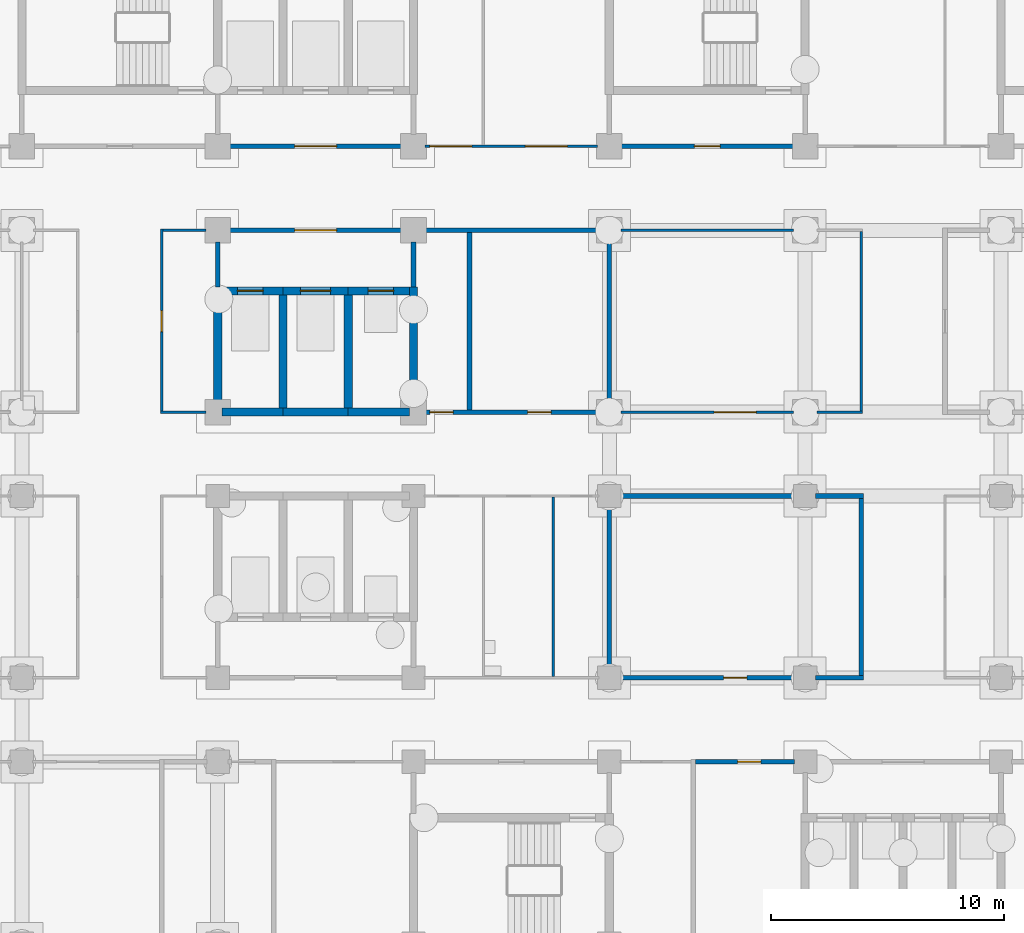
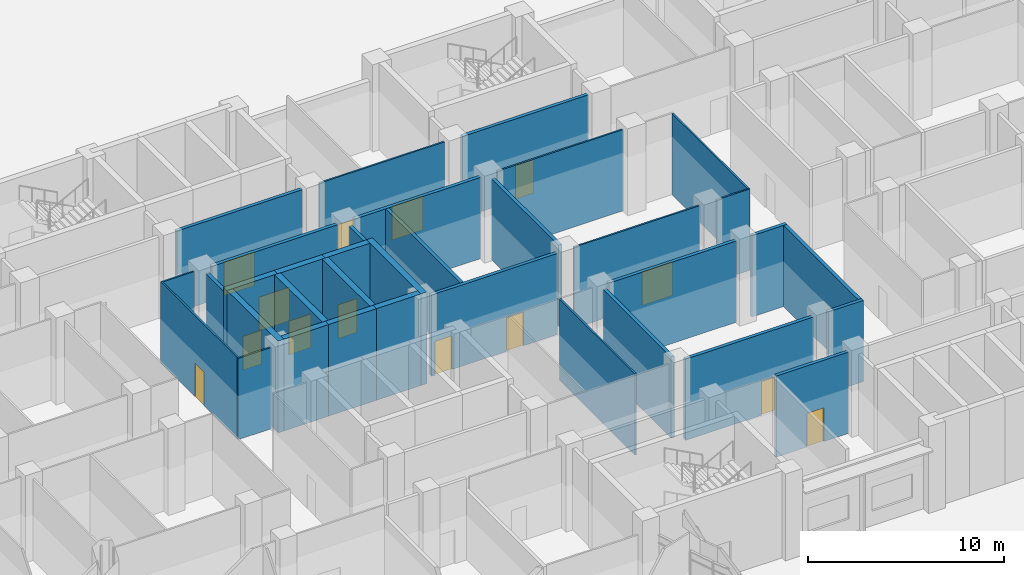
# One storey, part 71 of 146: 35 walls, 14 doors, 14 openings.
"""IFC4 building model written with IfcOpenShell, lengths in metres."""

from ifc_helpers import new_model, si_unit, direction, frame, frame_2d, origin, place, context, subcontext, project, spatial, rectangle, extrude, material, layer, layer_set, type_object, element, fill, save


model = new_model("IFC4")

# Units and contexts
model_context = context("Model", 3, precision=1e-05, world=origin(), true_north=direction((0.0, 1.0)))
body_context = subcontext(model_context, "Body", "Model", "MODEL_VIEW")
ifc_project = project(units=[si_unit("LENGTHUNIT", "METRE"), si_unit("AREAUNIT", "SQUARE_METRE"), si_unit("VOLUMEUNIT", "CUBIC_METRE"), si_unit("PLANEANGLEUNIT", "RADIAN"), si_unit("MASSUNIT", "GRAM", prefix="KILO")], contexts=[model_context])

# Site, building, storey
site_placement = place(None, origin())
site = spatial("IfcSite", under=ifc_project, at=site_placement, CompositionType="ELEMENT")
building_placement = place(site_placement, origin())
building = spatial("IfcBuilding", under=site, at=building_placement, Name="Bougainvillea Quay General Hospital", CompositionType="ELEMENT")
storey_placement = place(building_placement, origin())
storey = spatial("IfcBuildingStorey", under=building, at=storey_placement, Name="L00", CompositionType="ELEMENT", Elevation=0.0)

# Wall
ifc_material_1 = material(Name="Gypsum board partition on steel studs", Category="steel")
ifc_layer_1 = layer(ifc_material_1, 0.10009765625)
ifc_layer_set_1 = layer_set([ifc_layer_1], Name="Gypsum board partition on steel studs")
wall_type_1 = type_object("IfcWallType", Name="Partition 100 Gypsum board partition", PredefinedType="PARTITIONING", material=ifc_layer_set_1)
wall_1_placement = place(storey_placement, frame((64.75, 140.39990234375, 0.0), z_axis=(0.0, 0.0, 1.0), x_axis=(1.0, 0.0, 0.0)))
element("IfcWall", 1, at=wall_1_placement, inside=storey, type_object=wall_type_1, Name="Partition 100 mm", PredefinedType="PARTITIONING", context=body_context, shape_type="SweptSolid", body=[
    extrude(rectangle(XDim=1.949951171875, YDim=0.10009765625, at=frame_2d((0.97509765625, 0.0))), origin(), (0.0, 0.0, 1.0), 5.050048828125),
])

# Wall, opening, door
wall_2_placement = place(storey_placement, frame((84.5, 140.39990234375, 0.0), z_axis=(0.0, 0.0, 1.0), x_axis=(1.0, 0.0, 0.0)))
wall_2 = element("IfcWall", 2, at=wall_2_placement, inside=storey, type_object=wall_type_1, Name="Partition 100 mm", PredefinedType="PARTITIONING", context=body_context, shape_type="SweptSolid", body=[
    extrude(rectangle(XDim=7.39990234375, YDim=0.10009765625, at=frame_2d((3.699951171875, 0.0))), origin(), (0.0, 0.0, 1.0), 5.050048828125),
])
opening_1_placement = place(wall_2_placement, frame((4.0, 0.0, 0.0)))
opening_1 = element("IfcOpeningElement", 3, at=opening_1_placement, cuts=wall_2, Name="Opening L00.182", PredefinedType="OPENING", context=body_context, shape_type="SweptSolid", body=[
    extrude(rectangle(XDim=1.800048828125, YDim=2.10009765625, at=frame_2d((0.89990234375, 1.050048828125))), frame((0.0, 0.06005859375, 0.0), z_axis=(0.0, -1.0, 0.0), x_axis=(1.0, 0.0, 0.0)), (0.0, 0.0, 1.0), 0.1201171875),
])
ifc_material_2 = material(Name="Solid-core timber door leaves in steel frame", Category="steel")
door_type_1 = type_object("IfcDoorType", Name="Double leaf door 1800x2100", OperationType="DOUBLE_DOOR_SINGLE_SWING", PredefinedType="DOOR", material=ifc_material_2)
door_1_placement = place(opening_1_placement, origin())
door_1 = element("IfcDoor", 4, at=door_1_placement, inside=storey, type_object=door_type_1, Name="DT08 L00.182", OperationType="DOUBLE_DOOR_SINGLE_SWING", OverallHeight=2.10009765625, OverallWidth=1.800048828125, PredefinedType="DOOR", context=body_context, shape_type="SweptSolid", body=[
    extrude(rectangle(XDim=1.800048828125, YDim=2.10009765625, at=frame_2d((0.89990234375, 1.050048828125))), frame((0.0, 0.02490234375, 0.0), z_axis=(0.0, -1.0, 0.0), x_axis=(1.0, 0.0, 0.0)), (0.0, 0.0, 1.0), 0.050048828125),
])
fill(opening_1, door_1)

# Walls
wall_3_placement = place(storey_placement, frame((92.89990234375, 140.39990234375, 0.0), z_axis=(0.0, 0.0, 1.0), x_axis=(1.0, 0.0, 0.0)))
element("IfcWall", 5, at=wall_3_placement, inside=storey, type_object=wall_type_1, Name="Partition 100 mm", PredefinedType="PARTITIONING", context=body_context, shape_type="SweptSolid", body=[
    extrude(rectangle(XDim=1.9501953125, YDim=0.10009765625, at=frame_2d((0.97509765625, 0.0))), origin(), (0.0, 0.0, 1.0), 5.050048828125),
])
wall_4_placement = place(storey_placement, frame((84.5, 148.199951171875, 0.0), z_axis=(0.0, 0.0, 1.0), x_axis=(1.0, 0.0, 0.0)))
element("IfcWall", 6, at=wall_4_placement, inside=storey, type_object=wall_type_1, Name="Partition 100 mm", PredefinedType="PARTITIONING", context=body_context, shape_type="SweptSolid", body=[
    extrude(rectangle(XDim=7.39990234375, YDim=0.10009765625, at=frame_2d((3.699951171875, 0.0))), origin(), (0.0, 0.0, 1.0), 5.050048828125),
])

# Wall, openings, doors
wall_5_placement = place(storey_placement, frame((76.10009765625, 151.800048828125, 0.0), z_axis=(0.0, 0.0, 1.0), x_axis=(1.0, 0.0, 0.0)))
wall_5 = element("IfcWall", 7, at=wall_5_placement, inside=storey, type_object=wall_type_1, Name="Partition 100 mm", PredefinedType="PARTITIONING", context=body_context, shape_type="SweptSolid", body=[
    extrude(rectangle(XDim=7.39990234375, YDim=0.10009765625, at=frame_2d((3.699951171875, 0.0))), origin(), (0.0, 0.0, 1.0), 5.050048828125),
])
opening_2_placement = place(wall_5_placement, frame((0.198974609375, 0.0, 0.0)))
opening_2 = element("IfcOpeningElement", 8, at=opening_2_placement, cuts=wall_5, Name="Opening L00.180", PredefinedType="OPENING", context=body_context, shape_type="SweptSolid", body=[
    extrude(rectangle(XDim=1.800048828125, YDim=2.10009765625, at=frame_2d((0.89990234375, 1.050048828125))), frame((0.0, 0.06005859375, 0.0), z_axis=(0.0, -1.0, 0.0), x_axis=(1.0, 0.0, 0.0)), (0.0, 0.0, 1.0), 0.1201171875),
])
opening_3_placement = place(wall_5_placement, frame((4.299072265625, 0.0, 0.0)))
opening_3 = element("IfcOpeningElement", 9, at=opening_3_placement, cuts=wall_5, Name="Opening L00.181", PredefinedType="OPENING", context=body_context, shape_type="SweptSolid", body=[
    extrude(rectangle(XDim=1.800048828125, YDim=2.10009765625, at=frame_2d((0.89990234375, 1.050048828125))), frame((0.0, 0.06005859375, 0.0), z_axis=(0.0, -1.0, 0.0), x_axis=(1.0, 0.0, 0.0)), (0.0, 0.0, 1.0), 0.1201171875),
])
door_2_placement = place(opening_2_placement, origin())
door_2 = element("IfcDoor", 10, at=door_2_placement, inside=storey, type_object=door_type_1, Name="DT08 L00.180", OperationType="DOUBLE_DOOR_SINGLE_SWING", OverallHeight=2.10009765625, OverallWidth=1.800048828125, PredefinedType="DOOR", context=body_context, shape_type="SweptSolid", body=[
    extrude(rectangle(XDim=1.800048828125, YDim=2.10009765625, at=frame_2d((0.89990234375, 1.050048828125))), frame((0.0, 0.02490234375, 0.0), z_axis=(0.0, -1.0, 0.0), x_axis=(1.0, 0.0, 0.0)), (0.0, 0.0, 1.0), 0.050048828125),
])
fill(opening_2, door_2)
door_3_placement = place(opening_3_placement, origin())
door_3 = element("IfcDoor", 11, at=door_3_placement, inside=storey, type_object=door_type_1, Name="DT08 L00.181", OperationType="DOUBLE_DOOR_SINGLE_SWING", OverallHeight=2.10009765625, OverallWidth=1.800048828125, PredefinedType="DOOR", context=body_context, shape_type="SweptSolid", body=[
    extrude(rectangle(XDim=1.800048828125, YDim=2.10009765625, at=frame_2d((0.89990234375, 1.050048828125))), frame((0.0, 0.02490234375, 0.0), z_axis=(0.0, -1.0, 0.0), x_axis=(1.0, 0.0, 0.0)), (0.0, 0.0, 1.0), 0.050048828125),
])
fill(opening_3, door_3)

# Wall
wall_6_placement = place(storey_placement, frame((81.60009765625, 129.050048828125, 0.0), z_axis=(0.0, 0.0, 1.0), x_axis=(0.0, 1.0, 0.0)))
element("IfcWall", 12, at=wall_6_placement, inside=storey, type_object=wall_type_1, Name="Partition 100 mm", PredefinedType="PARTITIONING", context=body_context, shape_type="SweptSolid", body=[
    extrude(rectangle(XDim=7.699951171875, YDim=0.10009765625, at=frame_2d((3.85009765625, 0.0))), origin(), (0.0, 0.0, 1.0), 5.050048828125),
])

# Wall, opening, door
wall_7_placement = place(storey_placement, frame((64.800048828125, 140.449951171875, 0.0), z_axis=(0.0, 0.0, 1.0), x_axis=(0.0, 1.0, 0.0)))
wall_7 = element("IfcWall", 13, at=wall_7_placement, inside=storey, type_object=wall_type_1, Name="Partition 100 mm", PredefinedType="PARTITIONING", context=body_context, shape_type="SweptSolid", body=[
    extrude(rectangle(XDim=7.800048828125, YDim=0.10009765625, at=frame_2d((3.89990234375, 0.0))), origin(), (0.0, 0.0, 1.0), 5.050048828125),
])
opening_4_placement = place(wall_7_placement, frame((3.39990234375, 0.0, 0.0)))
opening_4 = element("IfcOpeningElement", 14, at=opening_4_placement, cuts=wall_7, Name="Opening L00.177", PredefinedType="OPENING", context=body_context, shape_type="SweptSolid", body=[
    extrude(rectangle(XDim=0.89990234375, YDim=2.10009765625, at=frame_2d((0.449951171875, 1.050048828125))), frame((0.0, 0.06005859375, 0.0), z_axis=(0.0, -1.0, 0.0), x_axis=(1.0, 0.0, 0.0)), (0.0, 0.0, 1.0), 0.1201171875),
])
ifc_material_3 = material(Name="Solid-core timber door leaf in steel frame", Category="steel")
door_type_2 = type_object("IfcDoorType", Name="Single leaf door 900x2100", OperationType="NOTDEFINED", PredefinedType="DOOR", material=ifc_material_3)
door_4_placement = place(opening_4_placement, frame((0.89990234375, 0.0, 0.0), z_axis=(0.0, 0.0, 1.0), x_axis=(-1.0, 0.0, 0.0)))
door_4 = element("IfcDoor", 15, at=door_4_placement, inside=storey, type_object=door_type_2, Name="DT07 L00.177", OperationType="SINGLE_SWING_RIGHT", OverallHeight=2.10009765625, OverallWidth=0.89990234375, PredefinedType="DOOR", context=body_context, shape_type="SweptSolid", body=[
    extrude(rectangle(XDim=0.89990234375, YDim=2.10009765625, at=frame_2d((0.449951171875, 1.050048828125))), frame((0.0, 0.02490234375, 0.0), z_axis=(0.0, -1.0, 0.0), x_axis=(1.0, 0.0, 0.0)), (0.0, 0.0, 1.0), 0.050048828125),
])
fill(opening_4, door_4)

# Walls
wall_8_placement = place(storey_placement, frame((94.800048828125, 140.449951171875, 0.0), z_axis=(0.0, 0.0, 1.0), x_axis=(0.0, 1.0, 0.0)))
element("IfcWall", 16, at=wall_8_placement, inside=storey, type_object=wall_type_1, Name="Partition 100 mm", PredefinedType="PARTITIONING", context=body_context, shape_type="SweptSolid", body=[
    extrude(rectangle(XDim=7.699951171875, YDim=0.10009765625, at=frame_2d((3.85009765625, 0.0))), origin(), (0.0, 0.0, 1.0), 5.050048828125),
])
wall_9_placement = place(storey_placement, frame((64.85009765625, 148.199951171875, 0.0), z_axis=(0.0, 0.0, 1.0), x_axis=(1.0, 0.0, 0.0)))
element("IfcWall", 17, at=wall_9_placement, inside=storey, type_object=wall_type_1, Name="Partition 100 mm", PredefinedType="PARTITIONING", context=body_context, shape_type="SweptSolid", body=[
    extrude(rectangle(XDim=1.849853515625, YDim=0.10009765625, at=frame_2d((0.9248046875, 0.0))), origin(), (0.0, 0.0, 1.0), 5.050048828125),
])

# Wall, opening, door
ifc_material_4 = material(Name="Autoclaved aerated block wall, plastered")
ifc_layer_2 = layer(ifc_material_4, 0.199951171875)
ifc_layer_set_2 = layer_set([ifc_layer_2], Name="Autoclaved aerated block wall, plastered")
wall_type_2 = type_object("IfcWallType", Name="Partition 200 Autoclaved aerated block wall", PredefinedType="SOLIDWALL", material=ifc_layer_set_2)
wall_10_placement = place(storey_placement, frame((84.449951171875, 129.0, 0.0), z_axis=(0.0, 0.0, 1.0), x_axis=(1.0, 0.0, 0.0)))
wall_10 = element("IfcWall", 18, at=wall_10_placement, inside=storey, type_object=wall_type_2, Name="Partition 200 mm", PredefinedType="SOLIDWALL", context=body_context, shape_type="SweptSolid", body=[
    extrude(rectangle(XDim=7.5, YDim=0.199951171875, at=frame_2d((3.75, 0.0))), origin(), (0.0, 0.0, 1.0), 5.050048828125),
])
opening_5_placement = place(wall_10_placement, frame((4.449951171875, 0.0, 0.0)))
opening_5 = element("IfcOpeningElement", 19, at=opening_5_placement, cuts=wall_10, Name="Opening L00.146", PredefinedType="OPENING", context=body_context, shape_type="SweptSolid", body=[
    extrude(rectangle(XDim=1.0, YDim=2.10009765625, at=frame_2d((0.5, 1.050048828125))), frame((0.0, 0.10986328125, 0.0), z_axis=(0.0, -1.0, 0.0), x_axis=(1.0, 0.0, 0.0)), (0.0, 0.0, 1.0), 0.219970703125),
])
door_type_3 = type_object("IfcDoorType", Name="Single leaf door 1000x2100", OperationType="NOTDEFINED", PredefinedType="DOOR", material=ifc_material_3)
door_5_placement = place(opening_5_placement, origin())
door_5 = element("IfcDoor", 20, at=door_5_placement, inside=storey, type_object=door_type_3, Name="DT06 L00.146", OperationType="SINGLE_SWING_RIGHT", OverallHeight=2.10009765625, OverallWidth=1.0, PredefinedType="DOOR", context=body_context, shape_type="SweptSolid", body=[
    extrude(rectangle(XDim=1.0, YDim=2.10009765625, at=frame_2d((0.5, 1.050048828125))), frame((0.0, 0.02490234375, 0.0), z_axis=(0.0, -1.0, 0.0), x_axis=(1.0, 0.0, 0.0)), (0.0, 0.0, 1.0), 0.050048828125),
])
fill(opening_5, door_5)

# Walls
wall_11_placement = place(storey_placement, frame((92.85009765625, 129.0, 0.0), z_axis=(0.0, 0.0, 1.0), x_axis=(1.0, 0.0, 0.0)))
element("IfcWall", 21, at=wall_11_placement, inside=storey, type_object=wall_type_2, Name="Partition 200 mm", PredefinedType="SOLIDWALL", context=body_context, shape_type="SweptSolid", body=[
    extrude(rectangle(XDim=2.0498046875, YDim=0.199951171875, at=frame_2d((1.02490234375, 0.0))), origin(), (0.0, 0.0, 1.0), 5.050048828125),
])
wall_12_placement = place(storey_placement, frame((84.449951171875, 136.800048828125, 0.0), z_axis=(0.0, 0.0, 1.0), x_axis=(1.0, 0.0, 0.0)))
element("IfcWall", 22, at=wall_12_placement, inside=storey, type_object=wall_type_2, Name="Partition 200 mm", PredefinedType="SOLIDWALL", context=body_context, shape_type="SweptSolid", body=[
    extrude(rectangle(XDim=7.5, YDim=0.199951171875, at=frame_2d((3.75, 0.0))), origin(), (0.0, 0.0, 1.0), 5.050048828125),
])
wall_13_placement = place(storey_placement, frame((92.85009765625, 136.800048828125, 0.0), z_axis=(0.0, 0.0, 1.0), x_axis=(1.0, 0.0, 0.0)))
element("IfcWall", 23, at=wall_13_placement, inside=storey, type_object=wall_type_2, Name="Partition 200 mm", PredefinedType="SOLIDWALL", context=body_context, shape_type="SweptSolid", body=[
    extrude(rectangle(XDim=2.0498046875, YDim=0.199951171875, at=frame_2d((1.02490234375, 0.0))), origin(), (0.0, 0.0, 1.0), 5.050048828125),
])
wall_14_placement = place(storey_placement, frame((84.0, 129.449951171875, 0.0), z_axis=(0.0, 0.0, 1.0), x_axis=(0.0, 1.0, 0.0)))
element("IfcWall", 24, at=wall_14_placement, inside=storey, type_object=wall_type_2, Name="Partition 200 mm", PredefinedType="SOLIDWALL", context=body_context, shape_type="SweptSolid", body=[
    extrude(rectangle(XDim=6.900146484375, YDim=0.199951171875, at=frame_2d((3.4501953125, 0.0))), origin(), (0.0, 0.0, 1.0), 5.050048828125),
])
wall_15_placement = place(storey_placement, frame((94.800048828125, 129.10009765625, 0.0), z_axis=(0.0, 0.0, 1.0), x_axis=(0.0, 1.0, 0.0)))
element("IfcWall", 25, at=wall_15_placement, inside=storey, type_object=wall_type_2, Name="Partition 200 mm", PredefinedType="SOLIDWALL", context=body_context, shape_type="SweptSolid", body=[
    extrude(rectangle(XDim=7.599853515625, YDim=0.199951171875, at=frame_2d((3.7998046875, 0.0))), origin(), (0.0, 0.0, 1.0), 5.050048828125),
])

# Wall, opening, door
wall_16_placement = place(storey_placement, frame((87.697998046875, 125.39990234375, 0.0), z_axis=(0.0, 0.0, 1.0), x_axis=(1.0, 0.0, 0.0)))
wall_16 = element("IfcWall", 26, at=wall_16_placement, inside=storey, type_object=wall_type_2, Name="Partition 200 mm", PredefinedType="SOLIDWALL", context=body_context, shape_type="SweptSolid", body=[
    extrude(rectangle(XDim=4.251953125, YDim=0.199951171875, at=frame_2d((2.1259765625, 0.0))), origin(), (0.0, 0.0, 1.0), 5.050048828125),
])
opening_6_placement = place(wall_16_placement, frame((1.801025390625, 0.0, 0.0)))
opening_6 = element("IfcOpeningElement", 27, at=opening_6_placement, cuts=wall_16, Name="Opening L00.138", PredefinedType="OPENING", context=body_context, shape_type="SweptSolid", body=[
    extrude(rectangle(XDim=1.0, YDim=2.10009765625, at=frame_2d((0.5, 1.050048828125))), frame((0.0, 0.10986328125, 0.0), z_axis=(0.0, -1.0, 0.0), x_axis=(1.0, 0.0, 0.0)), (0.0, 0.0, 1.0), 0.219970703125),
])
door_6_placement = place(opening_6_placement, frame((1.0, 0.0, 0.0), z_axis=(0.0, 0.0, 1.0), x_axis=(-1.0, 0.0, 0.0)))
door_6 = element("IfcDoor", 28, at=door_6_placement, inside=storey, type_object=door_type_3, Name="DT06 L00.138", OperationType="SINGLE_SWING_LEFT", OverallHeight=2.10009765625, OverallWidth=1.0, PredefinedType="DOOR", context=body_context, shape_type="SweptSolid", body=[
    extrude(rectangle(XDim=1.0, YDim=2.10009765625, at=frame_2d((0.5, 1.050048828125))), frame((0.0, 0.02490234375, 0.0), z_axis=(0.0, -1.0, 0.0), x_axis=(1.0, 0.0, 0.0)), (0.0, 0.0, 1.0), 0.050048828125),
])
fill(opening_6, door_6)

ifc_material_5 = material(Name="Fire-rated autoclaved aerated block wall, plastered")
ifc_layer_3 = layer(ifc_material_5, 0.199951171875)
ifc_layer_set_3 = layer_set([ifc_layer_3], Name="Fire-rated autoclaved aerated block wall, plastered")
wall_type_3 = type_object("IfcWallType", Name="Partition 200 Fire-rated autoclaved aerated block wall EI 120", PredefinedType="SOLIDWALL", material=ifc_layer_set_3)
wall_17_placement = place(storey_placement, frame((67.699951171875, 151.800048828125, 0.0), z_axis=(0.0, 0.0, 1.0), x_axis=(1.0, 0.0, 0.0)))
wall_17 = element("IfcWall", 29, at=wall_17_placement, inside=storey, type_object=wall_type_3, Name="Partition 200 mm EI 120", PredefinedType="SOLIDWALL", context=body_context, shape_type="SweptSolid", body=[
    extrude(rectangle(XDim=7.400146484375, YDim=0.199951171875, at=frame_2d((3.7001953125, 0.0))), origin(), (0.0, 0.0, 1.0), 5.050048828125),
])
opening_7_placement = place(wall_17_placement, frame((2.800048828125, 0.0, 0.0)))
opening_7 = element("IfcOpeningElement", 30, at=opening_7_placement, cuts=wall_17, Name="Opening L00.051", PredefinedType="OPENING", context=body_context, shape_type="SweptSolid", body=[
    extrude(rectangle(XDim=1.800048828125, YDim=2.10009765625, at=frame_2d((0.89990234375, 1.050048828125))), frame((0.0, 0.10986328125, 0.0), z_axis=(0.0, -1.0, 0.0), x_axis=(1.0, 0.0, 0.0)), (0.0, 0.0, 1.0), 0.219970703125),
])
ifc_material_6 = material(Name="Steel fire door leaves in steel frame", Category="steel")
door_type_4 = type_object("IfcDoorType", Name="Steel double leaf door 1800x2100 FD60", OperationType="DOUBLE_DOOR_SINGLE_SWING", PredefinedType="DOOR", material=ifc_material_6)
door_7_placement = place(opening_7_placement, origin())
door_7 = element("IfcDoor", 31, at=door_7_placement, inside=storey, type_object=door_type_4, Name="DT05 L00.051", OperationType="DOUBLE_DOOR_SINGLE_SWING", OverallHeight=2.10009765625, OverallWidth=1.800048828125, PredefinedType="DOOR", context=body_context, shape_type="SweptSolid", body=[
    extrude(rectangle(XDim=1.800048828125, YDim=2.10009765625, at=frame_2d((0.89990234375, 1.050048828125))), frame((0.0, 0.02490234375, 0.0), z_axis=(0.0, -1.0, 0.0), x_axis=(1.0, 0.0, 0.0)), (0.0, 0.0, 1.0), 0.050048828125),
])
fill(opening_7, door_7)

wall_18_placement = place(storey_placement, frame((84.5, 151.800048828125, 0.0), z_axis=(0.0, 0.0, 1.0), x_axis=(1.0, 0.0, 0.0)))
wall_18 = element("IfcWall", 32, at=wall_18_placement, inside=storey, type_object=wall_type_3, Name="Partition 200 mm EI 120", PredefinedType="SOLIDWALL", context=body_context, shape_type="SweptSolid", body=[
    extrude(rectangle(XDim=7.39990234375, YDim=0.199951171875, at=frame_2d((3.699951171875, 0.0))), origin(), (0.0, 0.0, 1.0), 5.050048828125),
])
opening_8_placement = place(wall_18_placement, frame((3.14990234375, 0.0, 0.0)))
opening_8 = element("IfcOpeningElement", 33, at=opening_8_placement, cuts=wall_18, Name="Opening L00.036", PredefinedType="OPENING", context=body_context, shape_type="SweptSolid", body=[
    extrude(rectangle(XDim=1.10009765625, YDim=2.10009765625, at=frame_2d((0.550048828125, 1.050048828125))), frame((0.0, 0.10986328125, 0.0), z_axis=(0.0, -1.0, 0.0), x_axis=(1.0, 0.0, 0.0)), (0.0, 0.0, 1.0), 0.219970703125),
])
ifc_material_7 = material(Name="Steel fire door leaf in steel frame", Category="steel")
door_type_5 = type_object("IfcDoorType", Name="Steel single leaf door 1100x2100 FD60", OperationType="NOTDEFINED", PredefinedType="DOOR", material=ifc_material_7)
door_8_placement = place(opening_8_placement, origin())
door_8 = element("IfcDoor", 34, at=door_8_placement, inside=storey, type_object=door_type_5, Name="DT04 L00.036", OperationType="SINGLE_SWING_RIGHT", OverallHeight=2.10009765625, OverallWidth=1.10009765625, PredefinedType="DOOR", context=body_context, shape_type="SweptSolid", body=[
    extrude(rectangle(XDim=1.10009765625, YDim=2.10009765625, at=frame_2d((0.550048828125, 1.050048828125))), frame((0.0, 0.02490234375, 0.0), z_axis=(0.0, -1.0, 0.0), x_axis=(1.0, 0.0, 0.0)), (0.0, 0.0, 1.0), 0.050048828125),
])
fill(opening_8, door_8)

wall_19_placement = place(storey_placement, frame((67.699951171875, 148.199951171875, 0.0), z_axis=(0.0, 0.0, 1.0), x_axis=(1.0, 0.0, 0.0)))
wall_19 = element("IfcWall", 35, at=wall_19_placement, inside=storey, type_object=wall_type_3, Name="Partition 200 mm EI 120", PredefinedType="SOLIDWALL", context=body_context, shape_type="SweptSolid", body=[
    extrude(rectangle(XDim=7.400146484375, YDim=0.199951171875, at=frame_2d((3.7001953125, 0.0))), origin(), (0.0, 0.0, 1.0), 5.050048828125),
])
opening_9_placement = place(wall_19_placement, frame((2.800048828125, 0.0, 0.0)))
opening_9 = element("IfcOpeningElement", 36, at=opening_9_placement, cuts=wall_19, Name="Opening L00.047", PredefinedType="OPENING", context=body_context, shape_type="SweptSolid", body=[
    extrude(rectangle(XDim=1.800048828125, YDim=2.10009765625, at=frame_2d((0.89990234375, 1.050048828125))), frame((0.0, 0.10986328125, 0.0), z_axis=(0.0, -1.0, 0.0), x_axis=(1.0, 0.0, 0.0)), (0.0, 0.0, 1.0), 0.219970703125),
])
door_9_placement = place(opening_9_placement, frame((1.800048828125, 0.0, 0.0), z_axis=(0.0, 0.0, 1.0), x_axis=(-1.0, 0.0, 0.0)))
door_9 = element("IfcDoor", 37, at=door_9_placement, inside=storey, type_object=door_type_4, Name="DT05 L00.047", OperationType="DOUBLE_DOOR_SINGLE_SWING", OverallHeight=2.10009765625, OverallWidth=1.800048828125, PredefinedType="DOOR", context=body_context, shape_type="SweptSolid", body=[
    extrude(rectangle(XDim=1.800048828125, YDim=2.10009765625, at=frame_2d((0.89990234375, 1.050048828125))), frame((0.0, 0.02490234375, 0.0), z_axis=(0.0, -1.0, 0.0), x_axis=(1.0, 0.0, 0.0)), (0.0, 0.0, 1.0), 0.050048828125),
])
fill(opening_9, door_9)

# Walls
for number, where, z_axis, x_axis, name in (
    (38, (67.199951171875, 145.77490234375, 0.0), (0.0, 0.0, 1.0), (0.0, 1.0, 0.0), "Partition 200 mm EI 120"),
    (39, (75.60009765625, 145.77490234375, 0.0), (0.0, 0.0, 1.0), (0.0, 1.0, 0.0), "Partition 200 mm EI 120"),
):
    element("IfcWall", number, at=place(storey_placement, frame(where, z_axis=z_axis, x_axis=x_axis)), inside=storey, type_object=wall_type_3, Name=name, PredefinedType="SOLIDWALL", context=body_context, shape_type="SweptSolid", body=[
        extrude(rectangle(XDim=1.925048828125, YDim=0.199951171875, at=frame_2d((0.96240234375, 0.0))), origin(), (0.0, 0.0, 1.0), 5.050048828125),
    ])

# Wall, openings, doors
ifc_layer_4 = layer(ifc_material_5, 0.199951171875)
ifc_layer_set_4 = layer_set([ifc_layer_4], Name="Fire-rated autoclaved aerated block wall, plastered")
wall_type_4 = type_object("IfcWallType", Name="Partition 200 Fire-rated autoclaved aerated block wall EI 60", PredefinedType="SOLIDWALL", material=ifc_layer_set_4)
wall_20_placement = place(storey_placement, frame((76.10009765625, 140.39990234375, 0.0), z_axis=(0.0, 0.0, 1.0), x_axis=(1.0, 0.0, 0.0)))
wall_20 = element("IfcWall", 40, at=wall_20_placement, inside=storey, type_object=wall_type_4, Name="Partition 200 mm EI 60", PredefinedType="SOLIDWALL", context=body_context, shape_type="SweptSolid", body=[
    extrude(rectangle(XDim=7.39990234375, YDim=0.199951171875, at=frame_2d((3.699951171875, 0.0))), origin(), (0.0, 0.0, 1.0), 5.050048828125),
])
opening_10_placement = place(wall_20_placement, frame((0.199951171875, 0.0, 0.0)))
opening_10 = element("IfcOpeningElement", 41, at=opening_10_placement, cuts=wall_20, Name="Opening L00.178", PredefinedType="OPENING", context=body_context, shape_type="SweptSolid", body=[
    extrude(rectangle(XDim=1.0, YDim=2.10009765625, at=frame_2d((0.5, 1.050048828125))), frame((0.0, 0.10986328125, 0.0), z_axis=(0.0, -1.0, 0.0), x_axis=(1.0, 0.0, 0.0)), (0.0, 0.0, 1.0), 0.219970703125),
])
opening_11_placement = place(wall_20_placement, frame((4.39990234375, 0.0, 0.0)))
opening_11 = element("IfcOpeningElement", 42, at=opening_11_placement, cuts=wall_20, Name="Opening L00.179", PredefinedType="OPENING", context=body_context, shape_type="SweptSolid", body=[
    extrude(rectangle(XDim=1.0, YDim=2.10009765625, at=frame_2d((0.5, 1.050048828125))), frame((0.0, 0.10986328125, 0.0), z_axis=(0.0, -1.0, 0.0), x_axis=(1.0, 0.0, 0.0)), (0.0, 0.0, 1.0), 0.219970703125),
])
door_type_6 = type_object("IfcDoorType", Name="Steel single leaf door 1000x2100 FD60", OperationType="NOTDEFINED", PredefinedType="DOOR", material=ifc_material_7)
door_10_placement = place(opening_10_placement, origin())
door_10 = element("IfcDoor", 43, at=door_10_placement, inside=storey, type_object=door_type_6, Name="DT10 L00.178", OperationType="SINGLE_SWING_LEFT", OverallHeight=2.10009765625, OverallWidth=1.0, PredefinedType="DOOR", context=body_context, shape_type="SweptSolid", body=[
    extrude(rectangle(XDim=1.0, YDim=2.10009765625, at=frame_2d((0.5, 1.050048828125))), frame((0.0, 0.02490234375, 0.0), z_axis=(0.0, -1.0, 0.0), x_axis=(1.0, 0.0, 0.0)), (0.0, 0.0, 1.0), 0.050048828125),
])
fill(opening_10, door_10)
door_11_placement = place(opening_11_placement, origin())
door_11 = element("IfcDoor", 44, at=door_11_placement, inside=storey, type_object=door_type_6, Name="DT10 L00.179", OperationType="SINGLE_SWING_RIGHT", OverallHeight=2.10009765625, OverallWidth=1.0, PredefinedType="DOOR", context=body_context, shape_type="SweptSolid", body=[
    extrude(rectangle(XDim=1.0, YDim=2.10009765625, at=frame_2d((0.5, 1.050048828125))), frame((0.0, 0.02490234375, 0.0), z_axis=(0.0, -1.0, 0.0), x_axis=(1.0, 0.0, 0.0)), (0.0, 0.0, 1.0), 0.050048828125),
])
fill(opening_11, door_11)

# Walls
wall_21_placement = place(storey_placement, frame((76.10009765625, 148.199951171875, 0.0), z_axis=(0.0, 0.0, 1.0), x_axis=(1.0, 0.0, 0.0)))
element("IfcWall", 45, at=wall_21_placement, inside=storey, type_object=wall_type_4, Name="Partition 200 mm EI 60", PredefinedType="SOLIDWALL", context=body_context, shape_type="SweptSolid", body=[
    extrude(rectangle(XDim=7.39990234375, YDim=0.199951171875, at=frame_2d((3.699951171875, 0.0))), origin(), (0.0, 0.0, 1.0), 5.050048828125),
])
wall_22_placement = place(storey_placement, frame((78.0, 140.5, 0.0), z_axis=(0.0, 0.0, 1.0), x_axis=(0.0, 1.0, 0.0)))
element("IfcWall", 46, at=wall_22_placement, inside=storey, type_object=wall_type_4, Name="Partition 200 mm EI 60", PredefinedType="SOLIDWALL", context=body_context, shape_type="SweptSolid", body=[
    extrude(rectangle(XDim=7.60009765625, YDim=0.199951171875, at=frame_2d((3.800048828125, 0.0))), origin(), (0.0, 0.0, 1.0), 5.050048828125),
])
wall_23_placement = place(storey_placement, frame((84.0, 140.89990234375, 0.0), z_axis=(0.0, 0.0, 1.0), x_axis=(0.0, 1.0, 0.0)))
element("IfcWall", 47, at=wall_23_placement, inside=storey, type_object=wall_type_4, Name="Partition 200 mm EI 60", PredefinedType="SOLIDWALL", context=body_context, shape_type="SweptSolid", body=[
    extrude(rectangle(XDim=6.800048828125, YDim=0.199951171875, at=frame_2d((3.39990234375, 0.0))), origin(), (0.0, 0.0, 1.0), 5.050048828125),
])

# Wall, opening, door
ifc_material_8 = material(Name="Concrete C40", Category="concrete")
ifc_layer_5 = layer(ifc_material_8, 0.35009765625)
ifc_layer_set_5 = layer_set([ifc_layer_5], Name="Concrete C40")
wall_type_5 = type_object("IfcWallType", Name="RC SHEAR WALL 350 C40", PredefinedType="SHEAR", material=ifc_layer_set_5)
wall_24_placement = place(storey_placement, frame((67.02490234375, 145.60009765625, -0.300048828125), z_axis=(0.0, 0.0, 1.0), x_axis=(1.0, 0.0, 0.0)))
wall_24 = element("IfcWall", 48, at=wall_24_placement, inside=storey, type_object=wall_type_5, Name="Shear wall L00", PredefinedType="SHEAR", context=body_context, shape_type="SweptSolid", body=[
    extrude(rectangle(XDim=2.97509765625, YDim=0.35009765625, at=frame_2d((1.487548828125, 0.0))), origin(), (0.0, 0.0, 1.0), 5.699951171875),
])
opening_12_placement = place(wall_24_placement, frame((1.02490234375, 0.0, 0.300048828125)))
opening_12 = element("IfcOpeningElement", 49, at=opening_12_placement, cuts=wall_24, Name="Opening LD-A1.1-L00", PredefinedType="OPENING", context=body_context, shape_type="SweptSolid", body=[
    extrude(rectangle(XDim=1.10009765625, YDim=2.10009765625, at=frame_2d((0.550048828125, 1.050048828125))), frame((0.0, 0.18505859375, 0.0), z_axis=(0.0, -1.0, 0.0), x_axis=(1.0, 0.0, 0.0)), (0.0, 0.0, 1.0), 0.3701171875),
])
ifc_material_9 = material(Name="Stainless steel centre-opening landing door", Category="steel")
door_type_7 = type_object("IfcDoorType", Name="Lift landing door 1100x2100 E 120", OperationType="DOUBLE_DOOR_SLIDING", PredefinedType="DOOR", material=ifc_material_9)
door_12_placement = place(opening_12_placement, origin())
door_12 = element("IfcDoor", 50, at=door_12_placement, inside=storey, type_object=door_type_7, Name="Lift landing door LB-A1-1 L00", OperationType="DOUBLE_DOOR_SLIDING", OverallHeight=2.10009765625, OverallWidth=1.10009765625, PredefinedType="DOOR", context=body_context, shape_type="SweptSolid", body=[
    extrude(rectangle(XDim=1.10009765625, YDim=2.10009765625, at=frame_2d((0.550048828125, 1.050048828125))), frame((0.0, 0.02490234375, 0.0), z_axis=(0.0, -1.0, 0.0), x_axis=(1.0, 0.0, 0.0)), (0.0, 0.0, 1.0), 0.050048828125),
])
fill(opening_12, door_12)

# Walls
wall_25_placement = place(storey_placement, frame((67.199951171875, 140.22509765625, -0.300048828125), z_axis=(0.0, 0.0, 1.0), x_axis=(0.0, 1.0, 0.0)))
element("IfcWall", 51, at=wall_25_placement, inside=storey, type_object=wall_type_5, Name="Shear wall L00", PredefinedType="SHEAR", context=body_context, shape_type="SweptSolid", body=[
    extrude(rectangle(XDim=5.199951171875, YDim=0.35009765625, at=frame_2d((2.60009765625, 0.0))), origin(), (0.0, 0.0, 1.0), 5.699951171875),
])
wall_26_placement = place(storey_placement, frame((67.375, 140.39990234375, -0.300048828125), z_axis=(0.0, 0.0, 1.0), x_axis=(1.0, 0.0, 0.0)))
element("IfcWall", 52, at=wall_26_placement, inside=storey, type_object=wall_type_5, Name="Shear wall L00", PredefinedType="SHEAR", context=body_context, shape_type="SweptSolid", body=[
    extrude(rectangle(XDim=2.625, YDim=0.35009765625, at=frame_2d((1.3125, 0.0))), origin(), (0.0, 0.0, 1.0), 5.699951171875),
])
wall_27_placement = place(storey_placement, frame((70.0, 140.39990234375, -0.300048828125), z_axis=(0.0, 0.0, 1.0), x_axis=(1.0, 0.0, 0.0)))
element("IfcWall", 53, at=wall_27_placement, inside=storey, type_object=wall_type_5, Name="Shear wall L00", PredefinedType="SHEAR", context=body_context, shape_type="SweptSolid", body=[
    extrude(rectangle(XDim=2.800048828125, YDim=0.35009765625, at=frame_2d((1.39990234375, 0.0))), origin(), (0.0, 0.0, 1.0), 5.699951171875),
])
wall_28_placement = place(storey_placement, frame((70.0, 140.574951171875, -0.300048828125), z_axis=(0.0, 0.0, 1.0), x_axis=(0.0, 1.0, 0.0)))
element("IfcWall", 54, at=wall_28_placement, inside=storey, type_object=wall_type_5, Name="Shear wall L00", PredefinedType="SHEAR", context=body_context, shape_type="SweptSolid", body=[
    extrude(rectangle(XDim=4.85009765625, YDim=0.35009765625, at=frame_2d((2.425048828125, 0.0))), origin(), (0.0, 0.0, 1.0), 5.699951171875),
])

# Wall, opening, door
wall_29_placement = place(storey_placement, frame((70.0, 145.60009765625, -0.300048828125), z_axis=(0.0, 0.0, 1.0), x_axis=(1.0, 0.0, 0.0)))
wall_29 = element("IfcWall", 55, at=wall_29_placement, inside=storey, type_object=wall_type_5, Name="Shear wall L00", PredefinedType="SHEAR", context=body_context, shape_type="SweptSolid", body=[
    extrude(rectangle(XDim=2.800048828125, YDim=0.35009765625, at=frame_2d((1.39990234375, 0.0))), origin(), (0.0, 0.0, 1.0), 5.699951171875),
])
opening_13_placement = place(wall_29_placement, frame((0.75, 0.0, 0.300048828125)))
opening_13 = element("IfcOpeningElement", 56, at=opening_13_placement, cuts=wall_29, Name="Opening LD-A1.2-L00", PredefinedType="OPENING", context=body_context, shape_type="SweptSolid", body=[
    extrude(rectangle(XDim=1.300048828125, YDim=2.10009765625, at=frame_2d((0.64990234375, 1.050048828125))), frame((0.0, 0.18505859375, 0.0), z_axis=(0.0, -1.0, 0.0), x_axis=(1.0, 0.0, 0.0)), (0.0, 0.0, 1.0), 0.3701171875),
])
door_type_8 = type_object("IfcDoorType", Name="Lift landing door 1300x2100 E 120", OperationType="DOUBLE_DOOR_SLIDING", PredefinedType="DOOR", material=ifc_material_9)
door_13_placement = place(opening_13_placement, origin())
door_13 = element("IfcDoor", 57, at=door_13_placement, inside=storey, type_object=door_type_8, Name="Lift landing door LB-A1-2 L00", OperationType="DOUBLE_DOOR_SLIDING", OverallHeight=2.10009765625, OverallWidth=1.300048828125, PredefinedType="DOOR", context=body_context, shape_type="SweptSolid", body=[
    extrude(rectangle(XDim=1.300048828125, YDim=2.10009765625, at=frame_2d((0.64990234375, 1.050048828125))), frame((0.0, 0.02490234375, 0.0), z_axis=(0.0, -1.0, 0.0), x_axis=(1.0, 0.0, 0.0)), (0.0, 0.0, 1.0), 0.050048828125),
])
fill(opening_13, door_13)

# Walls
wall_30_placement = place(storey_placement, frame((72.800048828125, 140.39990234375, -0.300048828125), z_axis=(0.0, 0.0, 1.0), x_axis=(1.0, 0.0, 0.0)))
element("IfcWall", 58, at=wall_30_placement, inside=storey, type_object=wall_type_5, Name="Shear wall L00", PredefinedType="SHEAR", context=body_context, shape_type="SweptSolid", body=[
    extrude(rectangle(XDim=2.625, YDim=0.35009765625, at=frame_2d((1.3125, 0.0))), origin(), (0.0, 0.0, 1.0), 5.699951171875),
])
wall_31_placement = place(storey_placement, frame((72.800048828125, 140.574951171875, -0.300048828125), z_axis=(0.0, 0.0, 1.0), x_axis=(0.0, 1.0, 0.0)))
element("IfcWall", 59, at=wall_31_placement, inside=storey, type_object=wall_type_5, Name="Shear wall L00", PredefinedType="SHEAR", context=body_context, shape_type="SweptSolid", body=[
    extrude(rectangle(XDim=4.85009765625, YDim=0.35009765625, at=frame_2d((2.425048828125, 0.0))), origin(), (0.0, 0.0, 1.0), 5.699951171875),
])

# Wall, opening, door
wall_32_placement = place(storey_placement, frame((72.800048828125, 145.60009765625, -0.300048828125), z_axis=(0.0, 0.0, 1.0), x_axis=(1.0, 0.0, 0.0)))
wall_32 = element("IfcWall", 60, at=wall_32_placement, inside=storey, type_object=wall_type_5, Name="Shear wall L00", PredefinedType="SHEAR", context=body_context, shape_type="SweptSolid", body=[
    extrude(rectangle(XDim=2.625, YDim=0.35009765625, at=frame_2d((1.3125, 0.0))), origin(), (0.0, 0.0, 1.0), 5.699951171875),
])
opening_14_placement = place(wall_32_placement, frame((0.85009765625, 0.0, 0.300048828125)))
opening_14 = element("IfcOpeningElement", 61, at=opening_14_placement, cuts=wall_32, Name="Opening LD-A1.3-L00", PredefinedType="OPENING", context=body_context, shape_type="SweptSolid", body=[
    extrude(rectangle(XDim=1.10009765625, YDim=2.10009765625, at=frame_2d((0.550048828125, 1.050048828125))), frame((0.0, 0.18505859375, 0.0), z_axis=(0.0, -1.0, 0.0), x_axis=(1.0, 0.0, 0.0)), (0.0, 0.0, 1.0), 0.3701171875),
])
door_14_placement = place(opening_14_placement, origin())
door_14 = element("IfcDoor", 62, at=door_14_placement, inside=storey, type_object=door_type_7, Name="Lift landing door LB-A1-3 L00", OperationType="DOUBLE_DOOR_SLIDING", OverallHeight=2.10009765625, OverallWidth=1.10009765625, PredefinedType="DOOR", context=body_context, shape_type="SweptSolid", body=[
    extrude(rectangle(XDim=1.10009765625, YDim=2.10009765625, at=frame_2d((0.550048828125, 1.050048828125))), frame((0.0, 0.02490234375, 0.0), z_axis=(0.0, -1.0, 0.0), x_axis=(1.0, 0.0, 0.0)), (0.0, 0.0, 1.0), 0.050048828125),
])
fill(opening_14, door_14)

# Wall
wall_33_placement = place(storey_placement, frame((75.60009765625, 140.22509765625, -0.300048828125), z_axis=(0.0, 0.0, 1.0), x_axis=(0.0, 1.0, 0.0)))
element("IfcWall", 63, at=wall_33_placement, inside=storey, type_object=wall_type_5, Name="Shear wall L00", PredefinedType="SHEAR", context=body_context, shape_type="SweptSolid", body=[
    extrude(rectangle(XDim=5.5498046875, YDim=0.35009765625, at=frame_2d((2.77490234375, 0.0))), origin(), (0.0, 0.0, 1.0), 5.699951171875),
])

save(model, "model.ifc")
